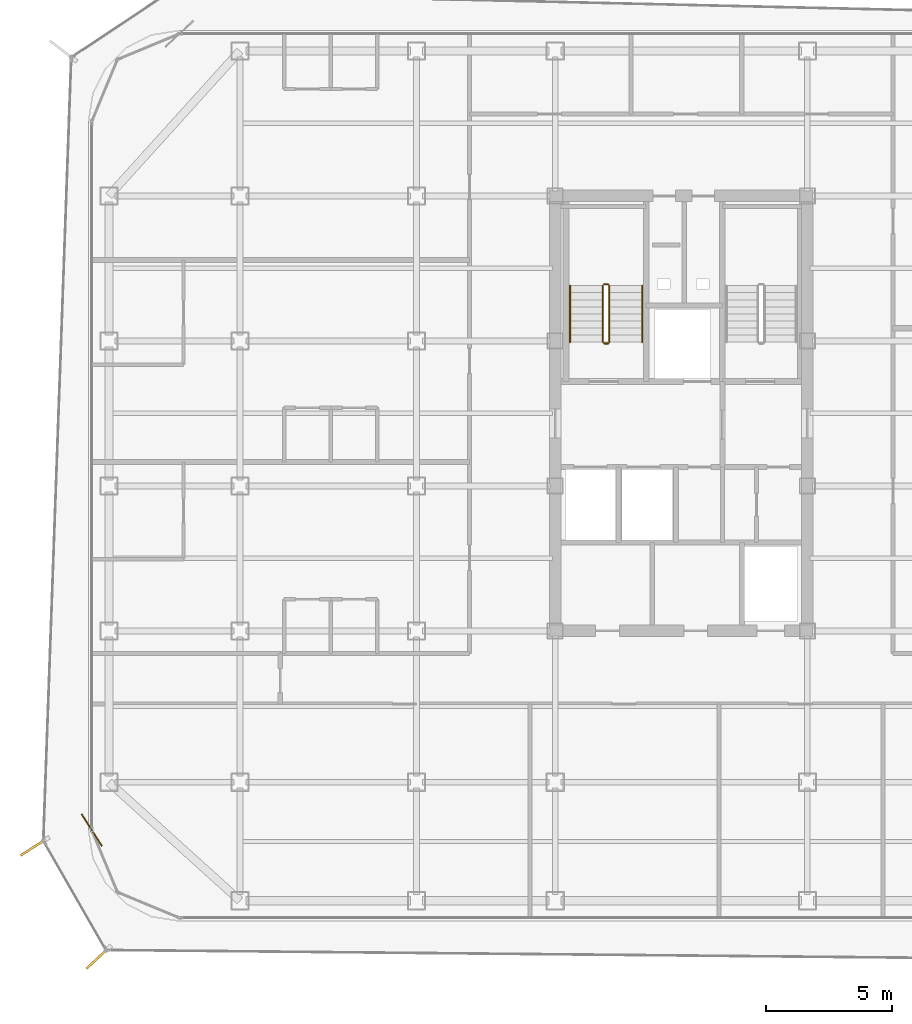
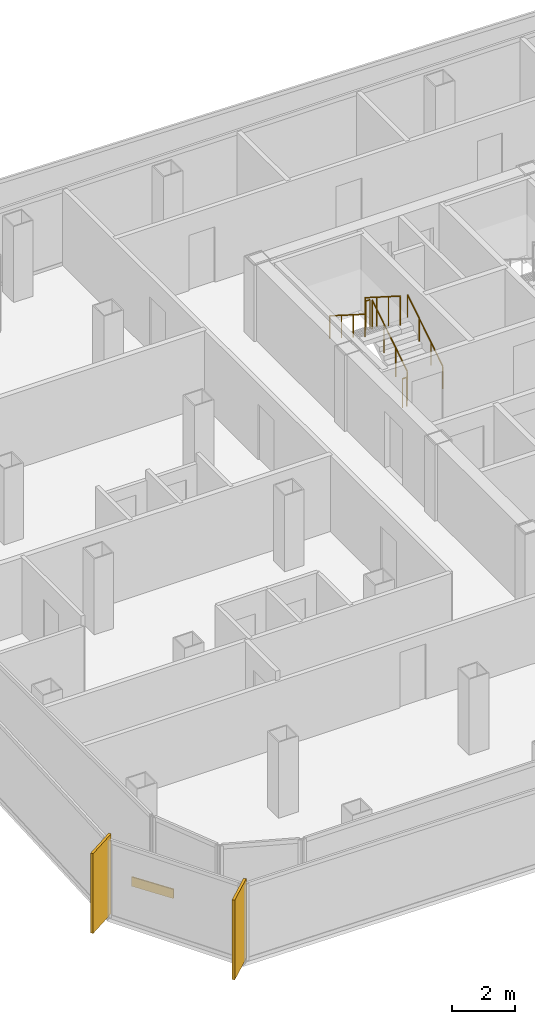
# One storey, part 13 of 15: 6 railings, 2 shading devices, 1 covering.
"""IFC4 building model written with IfcOpenShell, lengths in metres."""

from ifc_helpers import new_model, si_unit, direction, frame, origin, origin_2d, place, context, subcontext, project, spatial, rectangle, circle, extrude, source, transform, mapped, material, layer, layer_set, type_object, element, save


model = new_model("IFC4")

# Units and contexts
model_context = context("Model", 3, precision=1e-05, world=origin(), true_north=direction((0.0, 1.0)))
body_context = subcontext(model_context, "Body", "Model", "MODEL_VIEW")
ifc_project = project(units=[si_unit("LENGTHUNIT", "METRE"), si_unit("AREAUNIT", "SQUARE_METRE"), si_unit("VOLUMEUNIT", "CUBIC_METRE"), si_unit("PLANEANGLEUNIT", "RADIAN"), si_unit("MASSUNIT", "GRAM", prefix="KILO")], contexts=[model_context])

# Site, building, storey
site_placement = place(None, origin())
site = spatial("IfcSite", under=ifc_project, at=site_placement, CompositionType="ELEMENT")
building_placement = place(site_placement, origin())
building = spatial("IfcBuilding", under=site, at=building_placement, Name="Kolveth Station Tower", CompositionType="ELEMENT")
storey_placement = place(building_placement, frame((0.0, 0.0, 196.39990234375)))
storey = spatial("IfcBuildingStorey", under=building, at=storey_placement, Name="L55", CompositionType="ELEMENT", Elevation=196.39990234375)

# Railings
ifc_material_1 = material(Name="Painted Steel S355 balustrade", Category="steel")
railing_type_1 = type_object("IfcRailingType", Name="Guard_GR2", PredefinedType="BALUSTRADE", material=ifc_material_1)
railing_1_placement = place(storey_placement, frame((20.64990234375, 22.949951171875, 0.177978515625)))
element("IfcRailing", 1, at=railing_1_placement, inside=storey, type_object=railing_type_1, Name="L55 ST1 stair guard 1", PredefinedType="BALUSTRADE", context=body_context, shape_type="SweptSolid", body=[
    extrude(circle(Radius=0.02392578125, at=origin_2d()), frame((0.0, 0.0, 1.1259765625), z_axis=(0.0, 0.8442293374, 0.53598211339), x_axis=(-1.0, 0.0, 0.0)), (0.0, 0.0, 1.0), 2.6533203125),
    extrude(circle(Radius=0.02099609375, at=origin_2d()), origin(), (0.0, 0.0, 1.0), 1.101806640625),
    extrude(circle(Radius=0.02099609375, at=origin_2d()), frame((0.0, 0.74658203125, 0.47412109375)), (0.0, 0.0, 1.0), 1.101806640625),
    extrude(circle(Radius=0.02099609375, at=origin_2d()), frame((0.0, 1.493408203125, 0.947998046875)), (0.0, 0.0, 1.0), 1.101806640625),
    extrude(circle(Radius=0.02099609375, at=origin_2d()), frame((0.0, 2.239990234375, 1.422119140625)), (0.0, 0.0, 1.0), 1.101806640625),
])
railing_2_placement = place(storey_placement, frame((20.60009765625, 25.239990234375, 1.60009765625)))
element("IfcRailing", 2, at=railing_2_placement, inside=storey, type_object=railing_type_1, Name="L55 ST1 stair guard 2", PredefinedType="BALUSTRADE", context=body_context, shape_type="SweptSolid", body=[
    extrude(circle(Radius=0.02392578125, at=origin_2d()), frame((0.0, 0.0, 1.1259765625), z_axis=(-1.0, 0.0, 0.0), x_axis=(0.0, -1.0, 0.0)), (0.0, 0.0, 1.0), 0.16015625),
    extrude(circle(Radius=0.02099609375, at=origin_2d()), origin(), (0.0, 0.0, 1.0), 1.101806640625),
    extrude(circle(Radius=0.02099609375, at=origin_2d()), frame((-0.16015625, 0.0, 0.0)), (0.0, 0.0, 1.0), 1.101806640625),
])
railing_3_placement = place(storey_placement, frame((20.389892578125, 25.18994140625, 1.77783203125)))
element("IfcRailing", 3, at=railing_3_placement, inside=storey, type_object=railing_type_1, Name="L55 ST1 stair guard 3", PredefinedType="BALUSTRADE", context=body_context, shape_type="SweptSolid", body=[
    extrude(circle(Radius=0.02392578125, at=origin_2d()), frame((0.0, 0.0, 1.1259765625), z_axis=(0.0, -0.84418770128, 0.536047689118), x_axis=(1.0, 0.0, 0.0)), (0.0, 0.0, 1.0), 2.6533203125),
    extrude(circle(Radius=0.02099609375, at=origin_2d()), origin(), (0.0, 0.0, 1.0), 1.101806640625),
    extrude(circle(Radius=0.02099609375, at=origin_2d()), frame((0.0, -0.74658203125, 0.47412109375)), (0.0, 0.0, 1.0), 1.101806640625),
    extrude(circle(Radius=0.02099609375, at=origin_2d()), frame((0.0, -1.493408203125, 0.9482421875)), (0.0, 0.0, 1.0), 1.101806640625),
    extrude(circle(Radius=0.02099609375, at=origin_2d()), frame((0.0, -2.239990234375, 1.42236328125)), (0.0, 0.0, 1.0), 1.101806640625),
])
railing_4_placement = place(storey_placement, frame((20.60009765625, 22.89990234375, 0.0)))
element("IfcRailing", 4, at=railing_4_placement, inside=storey, type_object=railing_type_1, Name="L55 ST1 stair guard 4", PredefinedType="BALUSTRADE", context=body_context, shape_type="SweptSolid", body=[
    extrude(circle(Radius=0.02392578125, at=origin_2d()), frame((0.0, 0.0, 1.1259765625), z_axis=(-1.0, 0.0, 0.0), x_axis=(0.0, -1.0, 0.0)), (0.0, 0.0, 1.0), 0.16015625),
    extrude(circle(Radius=0.02099609375, at=origin_2d()), origin(), (0.0, 0.0, 1.0), 1.101806640625),
    extrude(circle(Radius=0.02099609375, at=origin_2d()), frame((-0.16015625, 0.0, 0.0)), (0.0, 0.0, 1.0), 1.101806640625),
])
ifc_material_2 = material(Name="Brushed stainless steel", Category="steel")
railing_type_2 = type_object("IfcRailingType", Name="Handrail_HR1", PredefinedType="HANDRAIL", material=ifc_material_2)
railing_5_placement = place(storey_placement, frame((21.949951171875, 22.949951171875, 0.177978515625)))
element("IfcRailing", 5, at=railing_5_placement, inside=storey, type_object=railing_type_2, Name="L55 ST1 stair handrail 1", PredefinedType="HANDRAIL", context=body_context, shape_type="SweptSolid", body=[
    extrude(circle(Radius=0.02392578125, at=origin_2d()), frame((0.0, 0.0, 0.8759765625), z_axis=(0.0, 0.8442293374, 0.53598211339), x_axis=(-1.0, 0.0, 0.0)), (0.0, 0.0, 1.0), 2.6533203125),
    extrude(circle(Radius=0.02099609375, at=origin_2d()), origin(), (0.0, 0.0, 1.0), 0.851806640625),
    extrude(circle(Radius=0.02099609375, at=origin_2d()), frame((0.0, 0.74658203125, 0.47412109375)), (0.0, 0.0, 1.0), 0.851806640625),
    extrude(circle(Radius=0.02099609375, at=origin_2d()), frame((0.0, 1.493408203125, 0.947998046875)), (0.0, 0.0, 1.0), 0.851806640625),
    extrude(circle(Radius=0.02099609375, at=origin_2d()), frame((0.0, 2.239990234375, 1.422119140625)), (0.0, 0.0, 1.0), 0.851806640625),
])
railing_6_placement = place(storey_placement, frame((19.090087890625, 25.18994140625, 1.77783203125)))
element("IfcRailing", 6, at=railing_6_placement, inside=storey, type_object=railing_type_2, Name="L55 ST1 stair handrail 2", PredefinedType="HANDRAIL", context=body_context, shape_type="SweptSolid", body=[
    extrude(circle(Radius=0.02392578125, at=origin_2d()), frame((0.0, 0.0, 0.8759765625), z_axis=(0.0, -0.84418770128, 0.536047689118), x_axis=(1.0, 0.0, 0.0)), (0.0, 0.0, 1.0), 2.6533203125),
    extrude(circle(Radius=0.02099609375, at=origin_2d()), origin(), (0.0, 0.0, 1.0), 0.851806640625),
    extrude(circle(Radius=0.02099609375, at=origin_2d()), frame((0.0, -0.74658203125, 0.47412109375)), (0.0, 0.0, 1.0), 0.851806640625),
    extrude(circle(Radius=0.02099609375, at=origin_2d()), frame((0.0, -1.493408203125, 0.9482421875)), (0.0, 0.0, 1.0), 0.851806640625),
    extrude(circle(Radius=0.02099609375, at=origin_2d()), frame((0.0, -2.239990234375, 1.42236328125)), (0.0, 0.0, 1.0), 0.851806640625),
])

# Shading devices
ifc_material_3 = material(Name="Black anodized aluminium 6063-T6", Category="aluminium")
shading_device_type = type_object("IfcShadingDeviceType", Name="FIN_VF1", PredefinedType="USERDEFINED", material=ifc_material_3)
shared_shape_1 = source(origin(), body_context, "Body", "SweptSolid", [
    extrude(rectangle(XDim=1.25, YDim=0.090087890625, at=origin_2d()), origin(), (0.0, 0.0, 1.0), 3.10009765625),
])
for number, where, z_axis, x_axis, name in (
    (7, (-2.172119140625, 2.929931640625, 0.0), (0.0, 0.0, 1.0), (-0.843016134425, -0.537888275667, 0.0), "L55 Dark-Aluminium Solar Fin 7"),
    (8, (0.368896484375, -1.469970703125, 0.0), (0.0, 0.0, 1.0), (-0.731829648029, -0.681487612702, 0.0), "L55 Dark-Aluminium Solar Fin 8"),
):
    element("IfcShadingDevice", number, at=place(storey_placement, frame(where, z_axis=z_axis, x_axis=x_axis)), inside=storey, type_object=shading_device_type, Name=name, ObjectType="FIN", PredefinedType="USERDEFINED", context=body_context, shape_type="MappedRepresentation", body=[
        mapped(shared_shape_1, transform((0.0, 0.0, 0.0), x_axis=(1.0, 0.0, 0.0), y_axis=(0.0, 1.0, 0.0), z_axis=(0.0, 0.0, 1.0), scale=1.0)),
    ])

# Covering
ifc_material_4 = material(Name="Charcoal anodized aluminium spandrel cladding", Category="aluminium")
ifc_layer = layer(ifc_material_4, 0.044921875)
ifc_layer_set = layer_set([ifc_layer], Name="Charcoal anodized aluminium spandrel cladding")
covering_type = type_object("IfcCoveringType", Name="Clad_CD1", PredefinedType="CLADDING", material=ifc_layer_set)
shared_shape_2 = source(origin(), body_context, "Body", "SweptSolid", [
    extrude(rectangle(XDim=1.5, YDim=0.044921875, at=origin_2d()), origin(), (0.0, 0.0, 1.0), 0.360107421875),
])
covering_placement = place(storey_placement, frame((0.1201171875, 3.60009765625, 0.0), z_axis=(0.0, 0.0, 1.0), x_axis=(0.537888275667, -0.843016134425, 0.0)))
element("IfcCovering", 9, at=covering_placement, inside=storey, type_object=covering_type, Name="L55 Spandrel Edge Cladding 7", PredefinedType="CLADDING", context=body_context, shape_type="MappedRepresentation", body=[
    mapped(shared_shape_2, transform((0.0, 0.0, 0.0), x_axis=(1.0, 0.0, 0.0), y_axis=(0.0, 1.0, 0.0), z_axis=(0.0, 0.0, 1.0), scale=1.0)),
])

save(model, "model.ifc")
